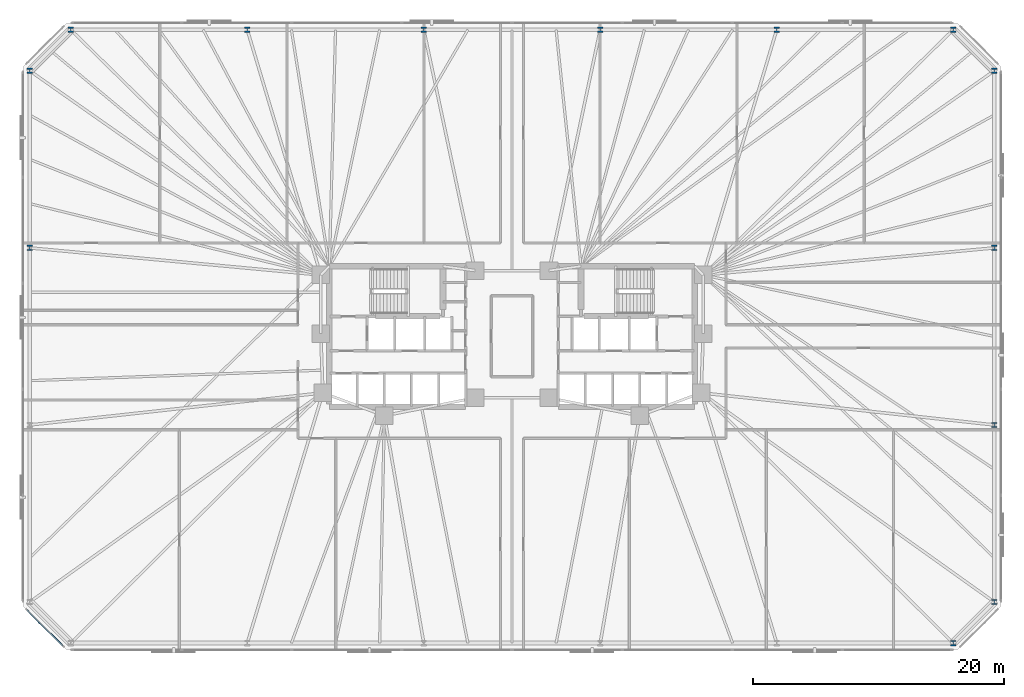
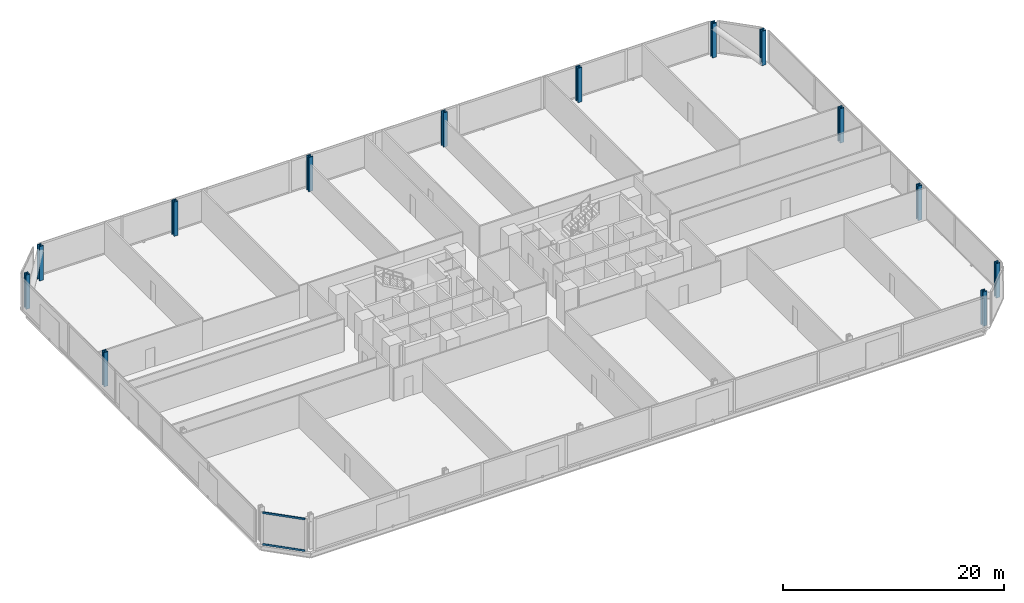
# One storey, part 5 of 17: 13 columns, 2 members, 1 element without a shape of its own.
"""IFC4 building model written with IfcOpenShell, lengths in metres."""

from ifc_helpers import new_model, si_unit, direction, frame, origin, origin_2d, place, context, subcontext, project, spatial, rectangle, i_section, extrude, material, material_profile, profile_set, type_object, element, aggregate, save


model = new_model("IFC4")

# Units and contexts
model_context = context("Model", 3, precision=1e-05, world=origin(), true_north=direction((0.0, 1.0)))
body_context = subcontext(model_context, "Body", "Model", "MODEL_VIEW")
ifc_project = project(units=[si_unit("LENGTHUNIT", "METRE"), si_unit("AREAUNIT", "SQUARE_METRE"), si_unit("VOLUMEUNIT", "CUBIC_METRE"), si_unit("PLANEANGLEUNIT", "RADIAN"), si_unit("MASSUNIT", "GRAM", prefix="KILO")], contexts=[model_context])

# Site, building, storey
site_placement = place(None, origin())
site = spatial("IfcSite", under=ifc_project, at=site_placement, CompositionType="ELEMENT")
building_placement = place(site_placement, origin())
building = spatial("IfcBuilding", under=site, at=building_placement, Name="Menara Jurai Vektor", CompositionType="ELEMENT")
storey_placement = place(building_placement, frame((0.0, 0.0, 52.199951171875)))
storey = spatial("IfcBuildingStorey", under=building, at=storey_placement, Name="L12", CompositionType="ELEMENT", Elevation=52.199951171875)

# Columns
ifc_material_1 = material(Name="Steel S460", Category="steel")
ifc_material_profile_1 = material_profile(ifc_material_1, i_section(OverallWidth=0.419921875, OverallDepth=0.430908203125, WebThickness=0.06494140625, FlangeThickness=0.10595703125, FilletRadius=0.014892578125, at=origin_2d()), Name="HD 400x900")
ifc_profile_set_1 = profile_set([ifc_material_profile_1], Name="Steel S460")
column_type = type_object("IfcColumnType", Name="STR-EXO-BLK1", PredefinedType="COLUMN", material=ifc_profile_set_1)
for number, where, z_axis, x_axis, name in (
    (1, (35.177734375, -24.449951171875, 0.0), (0.0, 0.0, 1.0), (1.0, 0.0, 0.0), "Exoskeleton Column BLK1-S6 L12"),
    (2, (38.449951171875, -21.177734375, 0.0), (0.0, 0.0, 1.0), (1.0, 0.0, 0.0), "Exoskeleton Column BLK1-E1 L12"),
    (3, (38.449951171875, -7.059326171875, 0.0), (0.0, 0.0, 1.0), (1.0, 0.0, 0.0), "Exoskeleton Column BLK1-E2 L12"),
    (4, (38.449951171875, 7.059326171875, 0.0), (0.0, 0.0, 1.0), (1.0, 0.0, 0.0), "Exoskeleton Column BLK1-E3 L12"),
    (5, (38.449951171875, 21.177734375, 0.0), (0.0, 0.0, 1.0), (1.0, 0.0, 0.0), "Exoskeleton Column BLK1-E4 L12"),
    (6, (35.177734375, 24.449951171875, 0.0), (0.0, 0.0, 1.0), (1.0, 0.0, 0.0), "Exoskeleton Column BLK1-N1 L12"),
    (7, (21.106689453125, 24.449951171875, 0.0), (0.0, 0.0, 1.0), (1.0, 0.0, 0.0), "Exoskeleton Column BLK1-N2 L12"),
    (8, (7.03564453125, 24.449951171875, 0.0), (0.0, 0.0, 1.0), (1.0, 0.0, 0.0), "Exoskeleton Column BLK1-N3 L12"),
    (9, (-7.03564453125, 24.449951171875, 0.0), (0.0, 0.0, 1.0), (1.0, 0.0, 0.0), "Exoskeleton Column BLK1-N4 L12"),
    (10, (-21.106689453125, 24.449951171875, 0.0), (0.0, 0.0, 1.0), (1.0, 0.0, 0.0), "Exoskeleton Column BLK1-N5 L12"),
    (11, (-35.177734375, 24.449951171875, 0.0), (0.0, 0.0, 1.0), (1.0, 0.0, 0.0), "Exoskeleton Column BLK1-N6 L12"),
    (12, (-38.449951171875, 21.177734375, 0.0), (0.0, 0.0, 1.0), (1.0, 0.0, 0.0), "Exoskeleton Column BLK1-W1 L12"),
    (13, (-38.449951171875, 7.059326171875, 0.0), (0.0, 0.0, 1.0), (1.0, 0.0, 0.0), "Exoskeleton Column BLK1-W2 L12"),
):
    element("IfcColumn", number, at=place(storey_placement, frame(where, z_axis=z_axis, x_axis=x_axis)), inside=storey, type_object=column_type, Name=name, PredefinedType="COLUMN", context=body_context, shape_type="SweptSolid", body=[
        extrude(i_section(OverallWidth=0.419921875, OverallDepth=0.430908203125, WebThickness=0.06494140625, FlangeThickness=0.10595703125, FilletRadius=0.014892578125, at=origin_2d()), origin(), (0.0, 0.0, 1.0), 3.800048828125),
    ])

# Curtain wall, members
ifc_material_2 = material(Name="Anodised Pale Aluminium & Low-E Double Glazing", Category="aluminium")
curtain_wall_type = type_object("IfcCurtainWallType", Name="CW-BLK1", PredefinedType="NOTDEFINED", material=ifc_material_2)
curtain_wall_placement = place(storey_placement, origin())
curtain_wall = element("IfcCurtainWall", 14, at=curtain_wall_placement, inside=storey, type_object=curtain_wall_type, Name="Unitised Curtain Wall L12 F08", PredefinedType="NOTDEFINED")
ifc_material_3 = material(Name="Anodised Pale Aluminium Transom", Category="aluminium")
ifc_material_profile_2 = material_profile(ifc_material_3, rectangle(XDim=0.094970703125, YDim=0.199951171875, at=origin_2d()), Name="ALU TRN 95x200")
ifc_profile_set_2 = profile_set([ifc_material_profile_2], Name="Anodised Pale Aluminium Transom")
member_type = type_object("IfcMemberType", Name="CW-BLK1-TRN", PredefinedType="USERDEFINED", material=ifc_profile_set_2)
member_1_placement = place(storey_placement, frame((-38.6640625, -21.8359375, 0.047607421875), z_axis=(0.707106781187, -0.707106781187, 0.0), x_axis=(0.707106781187, 0.707106781187, 0.0)))
member_1 = element("IfcMember", 15, at=member_1_placement, type_object=member_type, Name="CW-01 transom 1.1", ObjectType="TRANSOM", PredefinedType="USERDEFINED", context=body_context, shape_type="SweptSolid", body=[
    extrude(rectangle(XDim=0.094970703125, YDim=0.199951171875, at=origin_2d()), origin(), (0.0, 0.0, 1.0), 3.99951171875),
])
member_2_placement = place(storey_placement, frame((-38.6640625, -21.8359375, 3.527587890625), z_axis=(0.707106781187, -0.707106781187, 0.0), x_axis=(0.707106781187, 0.707106781187, 0.0)))
member_2 = element("IfcMember", 16, at=member_2_placement, type_object=member_type, Name="CW-01 transom 1.2", ObjectType="TRANSOM", PredefinedType="USERDEFINED", context=body_context, shape_type="SweptSolid", body=[
    extrude(rectangle(XDim=0.094970703125, YDim=0.199951171875, at=origin_2d()), origin(), (0.0, 0.0, 1.0), 3.99951171875),
])
aggregate(curtain_wall, [member_1, member_2])

save(model, "model.ifc")
